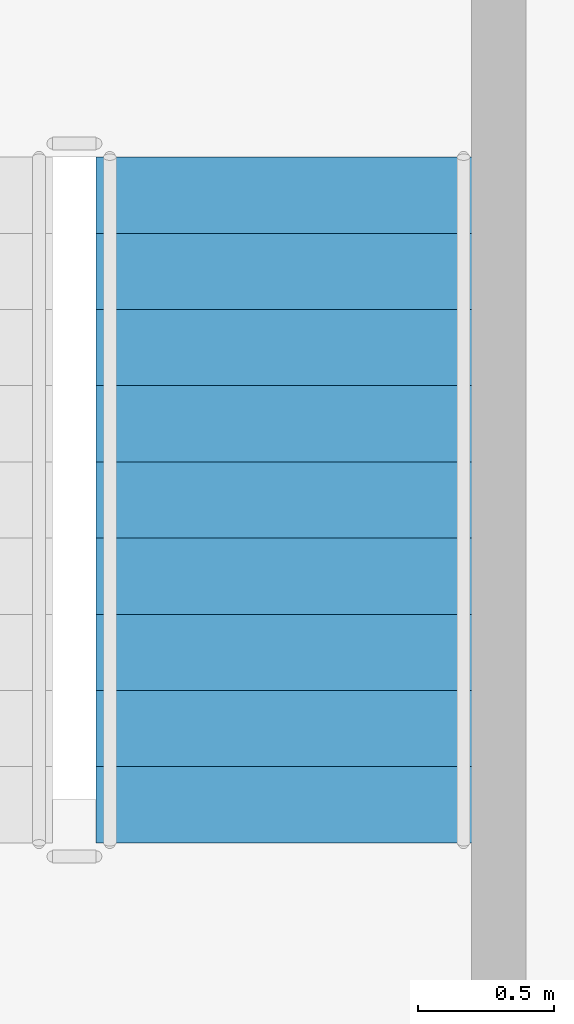
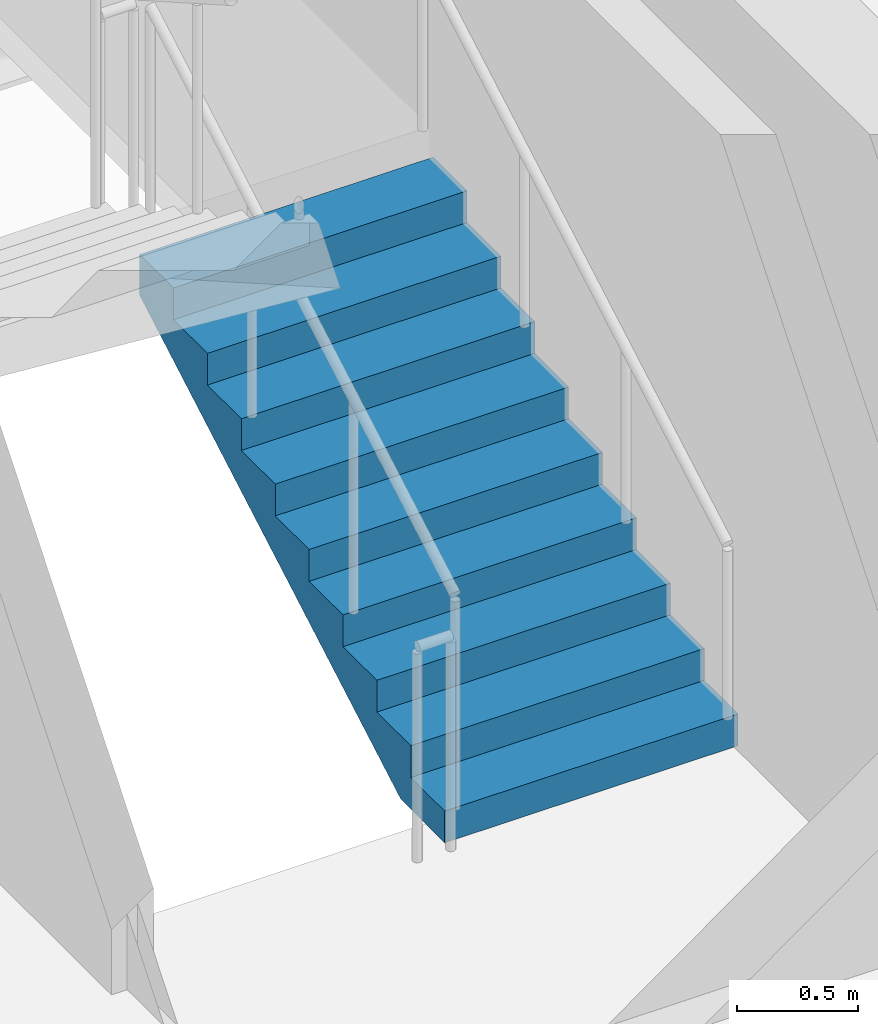
# One storey, part 5 of 7: 1 stair flight, 1 element without a shape of its own.
"""IFC4 building model written with IfcOpenShell, lengths in metres."""

from ifc_helpers import new_model, si_unit, direction, frame, origin, place, context, subcontext, project, spatial, polyline, outline, extrude, material, type_object, element, aggregate, save


model = new_model("IFC4")

# Units and contexts
model_context = context("Model", 3, precision=1e-05, world=origin(), true_north=direction((0.0, 1.0)))
body_context = subcontext(model_context, "Body", "Model", "MODEL_VIEW")
ifc_project = project(units=[si_unit("LENGTHUNIT", "METRE"), si_unit("AREAUNIT", "SQUARE_METRE"), si_unit("VOLUMEUNIT", "CUBIC_METRE"), si_unit("PLANEANGLEUNIT", "RADIAN"), si_unit("MASSUNIT", "GRAM", prefix="KILO")], contexts=[model_context])

# Site, building, storey
site_placement = place(None, origin())
site = spatial("IfcSite", under=ifc_project, at=site_placement, CompositionType="ELEMENT")
building_placement = place(site_placement, origin())
building = spatial("IfcBuilding", under=site, at=building_placement, Name="Kuzgunbayir Cultural Tower", CompositionType="ELEMENT")
storey_placement = place(building_placement, frame((0.0, 0.0, 201.60009765625)))
storey = spatial("IfcBuildingStorey", under=building, at=storey_placement, Name="L59", CompositionType="ELEMENT", Elevation=201.60009765625)

# Stair, stair flight
ifc_material = material(Name="Concrete C40/50", Category="concrete")
stair_type = type_object("IfcStairType", Name="STR-EXIT-CORE", PredefinedType="HALF_TURN_STAIR", material=ifc_material)
stair_placement = place(storey_placement, origin())
stair = element("IfcStair", 1, at=stair_placement, inside=storey, type_object=stair_type, Name="L59 ST-2", PredefinedType="HALF_TURN_STAIR")
stair_flight_type = type_object("IfcStairFlightType", Name="STRF-RC-140", PredefinedType="STRAIGHT", material=ifc_material)
stair_flight_placement = place(storey_placement, frame((25.4599609375, 35.60009765625, 0.0), z_axis=(0.0, 0.0, 1.0), x_axis=(0.0, 1.0, 0.0)))
stair_flight = element("IfcStairFlight", 2, at=stair_flight_placement, type_object=stair_flight_type, Name="ST-2 flight 1", NumberOfRisers=10, NumberOfTreads=9, PredefinedType="STRAIGHT", RiserHeight=0.16, TreadLength=0.28, context=body_context, shape_type="SweptSolid", body=[
    extrude(outline(polyline([(0.0, 0.0), (0.0, 0.159912109375), (0.280029296875, 0.159912109375), (0.280029296875, 0.320068359375), (0.56005859375, 0.320068359375), (0.56005859375, 0.47998046875), (0.840087890625, 0.47998046875), (0.840087890625, 0.639892578125), (1.1201171875, 0.639892578125), (1.1201171875, 0.800048828125), (1.39990234375, 0.800048828125), (1.39990234375, 0.9599609375), (1.679931640625, 0.9599609375), (1.679931640625, 1.1201171875), (1.9599609375, 1.1201171875), (1.9599609375, 1.280029296875), (2.239990234375, 1.280029296875), (2.239990234375, 1.43994140625), (2.52001953125, 1.43994140625), (2.52001953125, 1.60009765625), (2.52001953125, 1.232666015625), (0.362548828125, 0.0), (0.0, 0.0)])), frame((0.0, 0.699951171875, 0.0), z_axis=(0.0, -1.0, 0.0), x_axis=(1.0, 0.0, 0.0)), (0.0, 0.0, 1.0), 1.39990234375),
])
aggregate(stair, [stair_flight])

save(model, "model.ifc")
